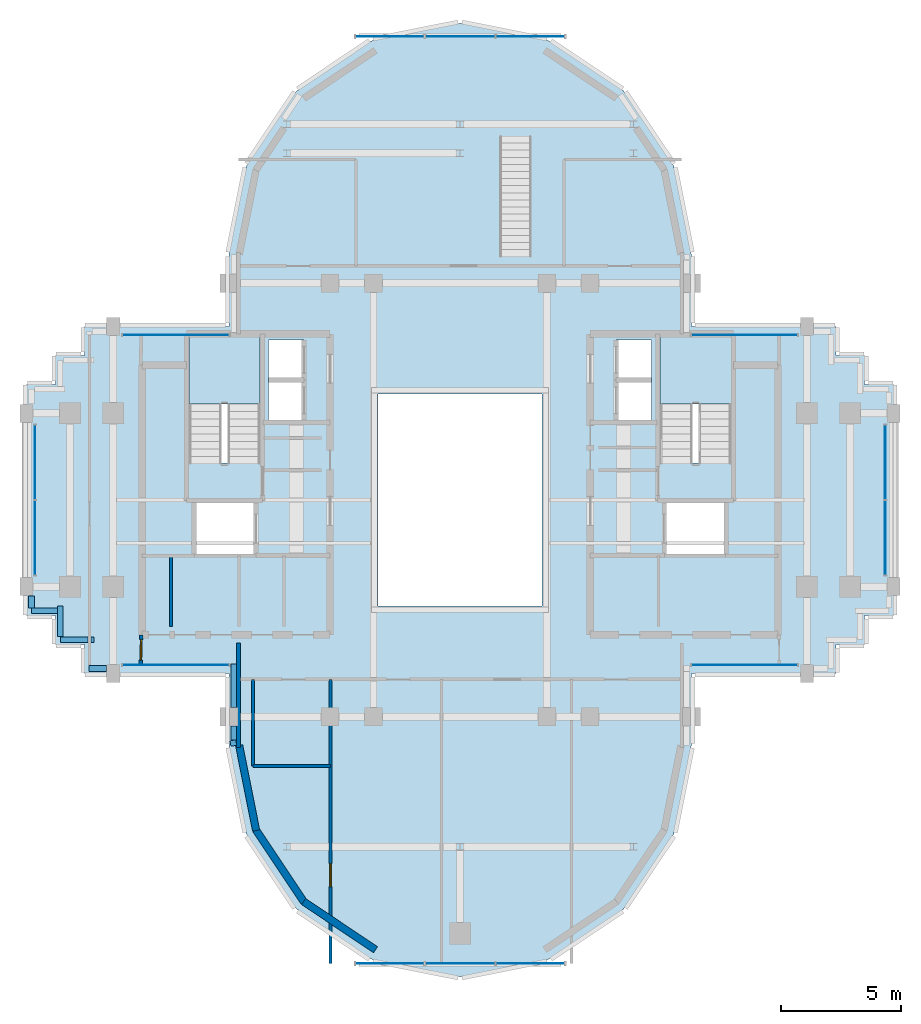
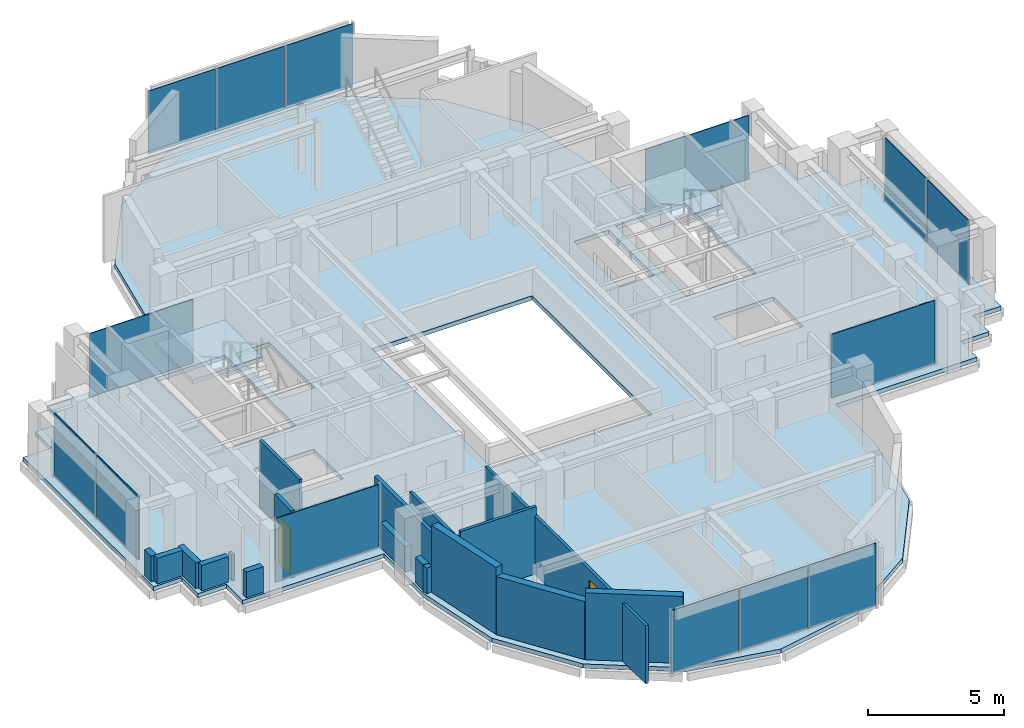
# One storey, part 7 of 13: 18 walls, 14 plates, 3 slabs, 2 doors, 2 openings, 10 elements without a shape of their own.
"""IFC4 building model written with IfcOpenShell, lengths in metres."""

from ifc_helpers import new_model, si_unit, direction, frame, frame_2d, origin, origin_2d, place, context, subcontext, project, spatial, polyline, rectangle, outline, extrude, source, transform, mapped, material, layer, layer_set, type_object, element, fill, aggregate, save


model = new_model("IFC4")

# Units and contexts
model_context = context("Model", 3, precision=1e-05, world=origin(), true_north=direction((0.0, 1.0)))
body_context = subcontext(model_context, "Body", "Model", "MODEL_VIEW")
ifc_project = project(units=[si_unit("LENGTHUNIT", "METRE"), si_unit("AREAUNIT", "SQUARE_METRE"), si_unit("VOLUMEUNIT", "CUBIC_METRE"), si_unit("PLANEANGLEUNIT", "RADIAN"), si_unit("MASSUNIT", "GRAM", prefix="KILO")], contexts=[model_context])

# Site, building, storey
site_placement = place(None, origin())
site = spatial("IfcSite", under=ifc_project, at=site_placement, CompositionType="ELEMENT")
building_placement = place(site_placement, origin())
building = spatial("IfcBuilding", under=site, at=building_placement, Name="Keilestroom Media Tower", CompositionType="ELEMENT")
storey_placement = place(building_placement, frame((0.0, 0.0, 230.0)))
storey = spatial("IfcBuildingStorey", under=building, at=storey_placement, Name="L63", CompositionType="ELEMENT", Elevation=230.0)

# Slab
ifc_material_1 = material(Name="Concrete C50/60", Category="concrete")
ifc_layer_1 = layer(ifc_material_1, 0.18994140625)
ifc_layer_set_1 = layer_set([ifc_layer_1], Name="Concrete C50/60")
slab_type_1 = type_object("IfcSlabType", Name="Composite-Floor-Slab-190", PredefinedType="FLOOR", material=ifc_layer_set_1)
slab_1_placement = place(storey_placement, frame((0.0, 0.0, -0.18994140625)))
element("IfcSlab", 1, at=slab_1_placement, inside=storey, type_object=slab_type_1, Name="L63 Structural Composite Floor Slab", PredefinedType="FLOOR", context=body_context, shape_type="SweptSolid", body=[
    extrude(outline(polyline([(18.0, -4.800048828125), (18.0, 4.800048828125), (16.800048828125, 4.800048828125), (16.800048828125, 6.0), (15.60009765625, 6.0), (15.60009765625, 7.199951171875), (9.60009765625, 7.199951171875), (9.60009765625, 9.60009765625), (9.60009765625, 10.199951171875), (8.869140625, 13.873779296875), (6.7880859375, 16.98828125), (3.673828125, 19.069091796875), (0.0, 19.800048828125), (-3.673828125, 19.069091796875), (-6.7880859375, 16.98828125), (-8.869140625, 13.873779296875), (-9.60009765625, 10.199951171875), (-9.60009765625, 9.60009765625), (-9.60009765625, 7.199951171875), (-15.60009765625, 7.199951171875), (-15.60009765625, 6.0), (-16.800048828125, 6.0), (-16.800048828125, 4.800048828125), (-18.0, 4.800048828125), (-18.0, -4.800048828125), (-16.800048828125, -4.800048828125), (-16.800048828125, -6.0), (-15.60009765625, -6.0), (-15.60009765625, -7.199951171875), (-9.60009765625, -7.199951171875), (-9.60009765625, -9.60009765625), (-9.60009765625, -10.199951171875), (-8.869140625, -13.873779296875), (-6.7880859375, -16.98828125), (-3.673828125, -19.069091796875), (0.0, -19.800048828125), (3.673828125, -19.069091796875), (6.7880859375, -16.98828125), (8.869140625, -13.873779296875), (9.60009765625, -10.199951171875), (9.60009765625, -9.60009765625), (9.60009765625, -7.199951171875), (15.60009765625, -7.199951171875), (15.60009765625, -6.0), (16.800048828125, -6.0), (16.800048828125, -4.800048828125), (18.0, -4.800048828125)]), holes=[polyline([(-8.300048828125, 1.544921875), (-11.260009765625, 1.544921875), (-11.260009765625, 6.760009765625), (-8.300048828125, 6.760009765625), (-8.300048828125, 1.544921875)]), polyline([(-8.47998046875, -2.280029296875), (-11.050048828125, -2.280029296875), (-11.050048828125, -0.10009765625), (-8.47998046875, -0.10009765625), (-8.47998046875, -2.280029296875)]), polyline([(-6.47998046875, 3.300048828125), (-7.949951171875, 3.300048828125), (-7.949951171875, 6.64990234375), (-6.47998046875, 6.64990234375), (-6.47998046875, 3.300048828125)]), polyline([(3.39990234375, -4.39990234375), (-3.39990234375, -4.39990234375), (-3.39990234375, 4.39990234375), (3.39990234375, 4.39990234375), (3.39990234375, -4.39990234375)]), polyline([(7.949951171875, 3.300048828125), (6.47998046875, 3.300048828125), (6.47998046875, 6.64990234375), (7.949951171875, 6.64990234375), (7.949951171875, 3.300048828125)]), polyline([(11.260009765625, 1.544921875), (8.300048828125, 1.544921875), (8.300048828125, 6.760009765625), (11.260009765625, 6.760009765625), (11.260009765625, 1.544921875)]), polyline([(11.050048828125, -2.280029296875), (8.47998046875, -2.280029296875), (8.47998046875, -0.10009765625), (11.050048828125, -0.10009765625), (11.050048828125, -2.280029296875)])]), origin(), (0.0, 0.0, 1.0), 0.18994140625),
])

# Stair, slab
ifc_material_2 = material(Name="Concrete C45/55", Category="concrete")
stair_type = type_object("IfcStairType", Name="Enclosed-Dog-Leg-Stair-ST-CORE", PredefinedType="HALF_TURN_STAIR", material=ifc_material_2)
stair_1_placement = place(storey_placement, origin())
stair_1 = element("IfcStair", 2, at=stair_1_placement, inside=storey, type_object=stair_type, Name="L63 West Core Escape Stair ST-1", PredefinedType="HALF_TURN_STAIR")
ifc_layer_2 = layer(ifc_material_2, 0.199951171875)
ifc_layer_set_2 = layer_set([ifc_layer_2], Name="Concrete C45/55")
slab_type_2 = type_object("IfcSlabType", Name="Stair-Intermediate-And-Top-Landing-Slab-200", PredefinedType="LANDING", material=ifc_layer_set_2)
slab_2_placement = place(storey_placement, frame((0.0, 0.0, 1.39990234375)))
slab_2 = element("IfcSlab", 3, at=slab_2_placement, type_object=slab_type_2, Name="ST-1 landing 1", PredefinedType="LANDING", context=body_context, shape_type="SweptSolid", body=[
    extrude(outline(polyline([(-8.300048828125, 3.99609375), (-8.300048828125, 6.760009765625), (-11.260009765625, 6.760009765625), (-11.260009765625, 3.99609375), (-8.300048828125, 3.99609375)])), origin(), (0.0, 0.0, 1.0), 0.2001953125),
])
aggregate(stair_1, [slab_2])

stair_2_placement = place(storey_placement, origin())
stair_2 = element("IfcStair", 4, at=stair_2_placement, inside=storey, type_object=stair_type, Name="L63 East Core Escape Stair ST-2", PredefinedType="HALF_TURN_STAIR")
slab_3_placement = place(storey_placement, frame((0.0, 0.0, 1.39990234375)))
slab_3 = element("IfcSlab", 5, at=slab_3_placement, type_object=slab_type_2, Name="ST-2 landing 1", PredefinedType="LANDING", context=body_context, shape_type="SweptSolid", body=[
    extrude(outline(polyline([(11.260009765625, 3.99609375), (11.260009765625, 6.760009765625), (8.300048828125, 6.760009765625), (8.300048828125, 3.99609375), (11.260009765625, 3.99609375)])), origin(), (0.0, 0.0, 1.0), 0.2001953125),
])
aggregate(stair_2, [slab_3])

# Curtain wall, plates
ifc_material_3 = material(Name="Anodised Aluminium Alloy", Category="aluminium")
curtain_wall_type_1 = type_object("IfcCurtainWallType", Name="Unitised-Curtain-Wall-CW-6", PredefinedType="NOTDEFINED", material=ifc_material_3)
curtain_wall_1_placement = place(storey_placement, origin())
curtain_wall_1 = element("IfcCurtainWall", 6, at=curtain_wall_1_placement, inside=storey, type_object=curtain_wall_type_1, Name="L63 Curtain Wall CW-6 CW-L63-LN-1", PredefinedType="NOTDEFINED")
ifc_material_4 = material(Name="Curved-Facet Triple Glazed Unit", Category="glass")
ifc_layer_3 = layer(ifc_material_4, 0.033935546875)
ifc_layer_set_3 = layer_set([ifc_layer_3], Name="Curved-Facet Triple Glazed Unit")
plate_type_1 = type_object("IfcPlateType", Name="Insulated-Curtain-Wall-Glazing-Panel-CW-6", PredefinedType="CURTAIN_PANEL", material=ifc_layer_set_3)
shared_shape_1 = source(origin(), body_context, "Body", "SweptSolid", [
    extrude(rectangle(XDim=2.84375, YDim=0.033935546875, at=origin_2d()), origin(), (0.0, 0.0, 1.0), 2.833984375),
])
plate_1_placement = place(storey_placement, frame((-2.9169921875, 19.25, 0.072998046875), z_axis=(0.0, 0.0, 1.0), x_axis=(1.0, 0.0, 0.0)))
plate_1 = element("IfcPlate", 7, at=plate_1_placement, type_object=plate_type_1, Name="CW-6 Unitised Glazing 00", PredefinedType="CURTAIN_PANEL", context=body_context, shape_type="MappedRepresentation", body=[
    mapped(shared_shape_1, transform((0.0, 0.0, 0.0), x_axis=(1.0, 0.0, 0.0), y_axis=(0.0, 1.0, 0.0), z_axis=(0.0, 0.0, 1.0), scale=1.0)),
])
plate_2_placement = place(storey_placement, frame((2.9169921875, 19.25, 0.072998046875), z_axis=(0.0, 0.0, 1.0), x_axis=(1.0, 0.0, 0.0)))
plate_2 = element("IfcPlate", 8, at=plate_2_placement, type_object=plate_type_1, Name="CW-6 Unitised Glazing 02", PredefinedType="CURTAIN_PANEL", context=body_context, shape_type="MappedRepresentation", body=[
    mapped(shared_shape_1, transform((0.0, 0.0, 0.0), x_axis=(1.0, 0.0, 0.0), y_axis=(0.0, 1.0, 0.0), z_axis=(0.0, 0.0, 1.0), scale=1.0)),
])

curtain_wall_2_placement = place(storey_placement, origin())
curtain_wall_2 = element("IfcCurtainWall", 9, at=curtain_wall_2_placement, inside=storey, type_object=curtain_wall_type_1, Name="L63 Curtain Wall CW-6 CW-L63-LS-1", PredefinedType="NOTDEFINED")
plate_3_placement = place(storey_placement, frame((-2.9169921875, -19.25, 0.072998046875), z_axis=(0.0, 0.0, 1.0), x_axis=(1.0, 0.0, 0.0)))
plate_3 = element("IfcPlate", 10, at=plate_3_placement, type_object=plate_type_1, Name="CW-6 Unitised Glazing 00", PredefinedType="CURTAIN_PANEL", context=body_context, shape_type="MappedRepresentation", body=[
    mapped(shared_shape_1, transform((0.0, 0.0, 0.0), x_axis=(1.0, 0.0, 0.0), y_axis=(0.0, 1.0, 0.0), z_axis=(0.0, 0.0, 1.0), scale=1.0)),
])
plate_4_placement = place(storey_placement, frame((2.9169921875, -19.25, 0.072998046875), z_axis=(0.0, 0.0, 1.0), x_axis=(1.0, 0.0, 0.0)))
plate_4 = element("IfcPlate", 11, at=plate_4_placement, type_object=plate_type_1, Name="CW-6 Unitised Glazing 02", PredefinedType="CURTAIN_PANEL", context=body_context, shape_type="MappedRepresentation", body=[
    mapped(shared_shape_1, transform((0.0, 0.0, 0.0), x_axis=(1.0, 0.0, 0.0), y_axis=(0.0, 1.0, 0.0), z_axis=(0.0, 0.0, 1.0), scale=1.0)),
])

# Plate
shared_shape_2 = source(origin(), body_context, "Body", "SweptSolid", [
    extrude(rectangle(XDim=2.876220703125, YDim=0.033935546875, at=origin_2d()), origin(), (0.0, 0.0, 1.0), 2.833984375),
])
plate_5_placement = place(storey_placement, frame((0.0, 19.25, 0.072998046875), z_axis=(0.0, 0.0, 1.0), x_axis=(1.0, 0.0, 0.0)))
plate_5 = element("IfcPlate", 12, at=plate_5_placement, type_object=plate_type_1, Name="CW-6 Unitised Glazing 01", PredefinedType="CURTAIN_PANEL", context=body_context, shape_type="MappedRepresentation", body=[
    mapped(shared_shape_2, transform((0.0, 0.0, 0.0), x_axis=(1.0, 0.0, 0.0), y_axis=(0.0, 1.0, 0.0), z_axis=(0.0, 0.0, 1.0), scale=1.0)),
])

aggregate(curtain_wall_1, [plate_1, plate_5, plate_2])

plate_6_placement = place(storey_placement, frame((0.0, -19.25, 0.072998046875), z_axis=(0.0, 0.0, 1.0), x_axis=(1.0, 0.0, 0.0)))
plate_6 = element("IfcPlate", 13, at=plate_6_placement, type_object=plate_type_1, Name="CW-6 Unitised Glazing 01", PredefinedType="CURTAIN_PANEL", context=body_context, shape_type="MappedRepresentation", body=[
    mapped(shared_shape_2, transform((0.0, 0.0, 0.0), x_axis=(1.0, 0.0, 0.0), y_axis=(0.0, 1.0, 0.0), z_axis=(0.0, 0.0, 1.0), scale=1.0)),
])

aggregate(curtain_wall_2, [plate_3, plate_6, plate_4])

# Curtain wall, plates
curtain_wall_type_2 = type_object("IfcCurtainWallType", Name="Unitised-Curtain-Wall-CW-4", PredefinedType="NOTDEFINED", material=ifc_material_3)
curtain_wall_3_placement = place(storey_placement, origin())
curtain_wall_3 = element("IfcCurtainWall", 14, at=curtain_wall_3_placement, inside=storey, type_object=curtain_wall_type_2, Name="L63 Curtain Wall CW-4 CW-L63-W-1", PredefinedType="NOTDEFINED")
ifc_material_5 = material(Name="Triple Glazed Solar-Control Unit", Category="glass")
ifc_layer_4 = layer(ifc_material_5, 0.035888671875)
ifc_layer_set_4 = layer_set([ifc_layer_4], Name="Triple Glazed Solar-Control Unit")
plate_type_2 = type_object("IfcPlateType", Name="Insulated-Curtain-Wall-Glazing-Panel-CW-4", PredefinedType="CURTAIN_PANEL", material=ifc_layer_set_4)
shared_shape_3 = source(origin(), body_context, "Body", "SweptSolid", [
    extrude(rectangle(XDim=3.0830078125, YDim=0.035888671875, at=origin_2d()), origin(), (0.0, 0.0, 1.0), 2.85400390625),
])
plate_7_placement = place(storey_placement, frame((-17.64990234375, -1.5673828125, 0.06298828125), z_axis=(0.0, 0.0, 1.0), x_axis=(0.0, 1.0, 0.0)))
plate_7 = element("IfcPlate", 15, at=plate_7_placement, type_object=plate_type_2, Name="CW-4 Unitised Glazing 00", PredefinedType="CURTAIN_PANEL", context=body_context, shape_type="MappedRepresentation", body=[
    mapped(shared_shape_3, transform((0.0, 0.0, 0.0), x_axis=(1.0, 0.0, 0.0), y_axis=(0.0, 1.0, 0.0), z_axis=(0.0, 0.0, 1.0), scale=1.0)),
])
plate_8_placement = place(storey_placement, frame((-17.64990234375, 1.5673828125, 0.06298828125), z_axis=(0.0, 0.0, 1.0), x_axis=(0.0, 1.0, 0.0)))
plate_8 = element("IfcPlate", 16, at=plate_8_placement, type_object=plate_type_2, Name="CW-4 Unitised Glazing 01", PredefinedType="CURTAIN_PANEL", context=body_context, shape_type="MappedRepresentation", body=[
    mapped(shared_shape_3, transform((0.0, 0.0, 0.0), x_axis=(1.0, 0.0, 0.0), y_axis=(0.0, 1.0, 0.0), z_axis=(0.0, 0.0, 1.0), scale=1.0)),
])
aggregate(curtain_wall_3, [plate_7, plate_8])

curtain_wall_4_placement = place(storey_placement, origin())
curtain_wall_4 = element("IfcCurtainWall", 17, at=curtain_wall_4_placement, inside=storey, type_object=curtain_wall_type_2, Name="L63 Curtain Wall CW-4 CW-L63-E-1", PredefinedType="NOTDEFINED")
plate_9_placement = place(storey_placement, frame((17.64990234375, -1.5673828125, 0.06298828125), z_axis=(0.0, 0.0, 1.0), x_axis=(0.0, 1.0, 0.0)))
plate_9 = element("IfcPlate", 18, at=plate_9_placement, type_object=plate_type_2, Name="CW-4 Unitised Glazing 00", PredefinedType="CURTAIN_PANEL", context=body_context, shape_type="MappedRepresentation", body=[
    mapped(shared_shape_3, transform((0.0, 0.0, 0.0), x_axis=(1.0, 0.0, 0.0), y_axis=(0.0, 1.0, 0.0), z_axis=(0.0, 0.0, 1.0), scale=1.0)),
])
plate_10_placement = place(storey_placement, frame((17.64990234375, 1.5673828125, 0.06298828125), z_axis=(0.0, 0.0, 1.0), x_axis=(0.0, 1.0, 0.0)))
plate_10 = element("IfcPlate", 19, at=plate_10_placement, type_object=plate_type_2, Name="CW-4 Unitised Glazing 01", PredefinedType="CURTAIN_PANEL", context=body_context, shape_type="MappedRepresentation", body=[
    mapped(shared_shape_3, transform((0.0, 0.0, 0.0), x_axis=(1.0, 0.0, 0.0), y_axis=(0.0, 1.0, 0.0), z_axis=(0.0, 0.0, 1.0), scale=1.0)),
])
aggregate(curtain_wall_4, [plate_9, plate_10])

# Curtain wall, plate
curtain_wall_5_placement = place(storey_placement, origin())
curtain_wall_5 = element("IfcCurtainWall", 20, at=curtain_wall_5_placement, inside=storey, type_object=curtain_wall_type_2, Name="L63 Curtain Wall CW-4 CW-L63-NW-1", PredefinedType="NOTDEFINED")
shared_shape_4 = source(origin(), body_context, "Body", "SweptSolid", [
    extrude(rectangle(XDim=4.403076171875, YDim=0.035888671875, at=origin_2d()), origin(), (0.0, 0.0, 1.0), 2.85400390625),
])
plate_11_placement = place(storey_placement, frame((-11.8076171875, 6.85009765625, 0.06298828125), z_axis=(0.0, 0.0, 1.0), x_axis=(1.0, 0.0, 0.0)))
plate_11 = element("IfcPlate", 21, at=plate_11_placement, type_object=plate_type_2, Name="CW-4 Unitised Glazing 00", PredefinedType="CURTAIN_PANEL", context=body_context, shape_type="MappedRepresentation", body=[
    mapped(shared_shape_4, transform((0.0, 0.0, 0.0), x_axis=(1.0, 0.0, 0.0), y_axis=(0.0, 1.0, 0.0), z_axis=(0.0, 0.0, 1.0), scale=1.0)),
])
aggregate(curtain_wall_5, [plate_11])

curtain_wall_6_placement = place(storey_placement, origin())
curtain_wall_6 = element("IfcCurtainWall", 22, at=curtain_wall_6_placement, inside=storey, type_object=curtain_wall_type_2, Name="L63 Curtain Wall CW-4 CW-L63-NE-1", PredefinedType="NOTDEFINED")
plate_12_placement = place(storey_placement, frame((11.8076171875, 6.85009765625, 0.06298828125), z_axis=(0.0, 0.0, 1.0), x_axis=(1.0, 0.0, 0.0)))
plate_12 = element("IfcPlate", 23, at=plate_12_placement, type_object=plate_type_2, Name="CW-4 Unitised Glazing 00", PredefinedType="CURTAIN_PANEL", context=body_context, shape_type="MappedRepresentation", body=[
    mapped(shared_shape_4, transform((0.0, 0.0, 0.0), x_axis=(1.0, 0.0, 0.0), y_axis=(0.0, 1.0, 0.0), z_axis=(0.0, 0.0, 1.0), scale=1.0)),
])
aggregate(curtain_wall_6, [plate_12])

curtain_wall_7_placement = place(storey_placement, origin())
curtain_wall_7 = element("IfcCurtainWall", 24, at=curtain_wall_7_placement, inside=storey, type_object=curtain_wall_type_2, Name="L63 Curtain Wall CW-4 CW-L63-SW-1", PredefinedType="NOTDEFINED")
plate_13_placement = place(storey_placement, frame((-11.8076171875, -6.85009765625, 0.06298828125), z_axis=(0.0, 0.0, 1.0), x_axis=(1.0, 0.0, 0.0)))
plate_13 = element("IfcPlate", 25, at=plate_13_placement, type_object=plate_type_2, Name="CW-4 Unitised Glazing 00", PredefinedType="CURTAIN_PANEL", context=body_context, shape_type="MappedRepresentation", body=[
    mapped(shared_shape_4, transform((0.0, 0.0, 0.0), x_axis=(1.0, 0.0, 0.0), y_axis=(0.0, 1.0, 0.0), z_axis=(0.0, 0.0, 1.0), scale=1.0)),
])
aggregate(curtain_wall_7, [plate_13])

curtain_wall_8_placement = place(storey_placement, origin())
curtain_wall_8 = element("IfcCurtainWall", 26, at=curtain_wall_8_placement, inside=storey, type_object=curtain_wall_type_2, Name="L63 Curtain Wall CW-4 CW-L63-SE-1", PredefinedType="NOTDEFINED")
plate_14_placement = place(storey_placement, frame((11.8076171875, -6.85009765625, 0.06298828125), z_axis=(0.0, 0.0, 1.0), x_axis=(1.0, 0.0, 0.0)))
plate_14 = element("IfcPlate", 27, at=plate_14_placement, type_object=plate_type_2, Name="CW-4 Unitised Glazing 00", PredefinedType="CURTAIN_PANEL", context=body_context, shape_type="MappedRepresentation", body=[
    mapped(shared_shape_4, transform((0.0, 0.0, 0.0), x_axis=(1.0, 0.0, 0.0), y_axis=(0.0, 1.0, 0.0), z_axis=(0.0, 0.0, 1.0), scale=1.0)),
])
aggregate(curtain_wall_8, [plate_14])

# Walls
ifc_material_6 = material(Name="Precast concrete C40/50", Category="concrete")
ifc_layer_5 = layer(ifc_material_6, 0.300048828125)
ifc_layer_set_5 = layer_set([ifc_layer_5], Name="Precast concrete C40/50")
wall_type_1 = type_object("IfcWallType", Name="Exterior-Masonry-Spandrel-Wall-300", PredefinedType="SOLIDWALL", material=ifc_layer_set_5)
wall_1_placement = place(storey_placement, frame((-9.1748046875, -10.185302734375, 0.0), z_axis=(0.0, 0.0, 1.0), x_axis=(0.195114232679, -0.980780523974, 0.0)))
element("IfcWall", 28, at=wall_1_placement, inside=storey, type_object=wall_type_1, Name="L63 Lobe Facet Precast Frame Wall 07", PredefinedType="SOLIDWALL", context=body_context, shape_type="SweptSolid", body=[
    extrude(rectangle(XDim=3.608642578125, YDim=0.300048828125, at=frame_2d((1.80419921875, 0.0))), origin(), (0.0, 0.0, 1.0), 3.010009765625),
])
wall_2_placement = place(storey_placement, frame((-8.48193359375, -13.697509765625, 0.0), z_axis=(0.0, 0.0, 1.0), x_axis=(0.555574187116, -0.831466970246, 0.0)))
element("IfcWall", 29, at=wall_2_placement, inside=storey, type_object=wall_type_1, Name="L63 Lobe Facet Precast Frame Wall 08", PredefinedType="SOLIDWALL", context=body_context, shape_type="SweptSolid", body=[
    extrude(rectangle(XDim=3.608642578125, YDim=0.300048828125, at=frame_2d((1.80419921875, 0.0))), origin(), (0.0, 0.0, 1.0), 2.610107421875),
])
wall_3_placement = place(storey_placement, frame((-6.497802734375, -16.677001953125, 0.0), z_axis=(0.0, 0.0, 1.0), x_axis=(0.831443568068, -0.555609208993, 0.0)))
element("IfcWall", 30, at=wall_3_placement, inside=storey, type_object=wall_type_1, Name="L63 Lobe Facet Precast Frame Wall 09", PredefinedType="SOLIDWALL", context=body_context, shape_type="SweptSolid", body=[
    extrude(rectangle(XDim=3.593505859375, YDim=0.300048828125, at=frame_2d((1.796875, 0.0))), origin(), (0.0, 0.0, 1.0), 3.010009765625),
])
ifc_material_7 = material(Name="Gypsum Plasterboard & Steel Stud", Category="steel")
ifc_layer_6 = layer(ifc_material_7, 0.1201171875)
ifc_layer_set_6 = layer_set([ifc_layer_6], Name="Gypsum Plasterboard & Steel Stud")
wall_type_2 = type_object("IfcWallType", Name="Interior-Partition-Wall-120", PredefinedType="PARTITIONING", material=ifc_layer_set_6)
wall_4_placement = place(storey_placement, frame((-12.010009765625, -5.260009765625, 0.0), z_axis=(0.0, 0.0, 1.0), x_axis=(0.0, 1.0, 0.0)))
element("IfcWall", 31, at=wall_4_placement, inside=storey, type_object=wall_type_2, Name="L63 Interior Wall WP-L63-RECLW-M", PredefinedType="PARTITIONING", context=body_context, shape_type="SweptSolid", body=[
    extrude(rectangle(XDim=2.93994140625, YDim=0.1201171875, at=frame_2d((1.469970703125, 0.0))), origin(), (0.0, 0.0, 1.0), 3.010009765625),
])

# Wall, opening, door
wall_5_placement = place(storey_placement, frame((-5.3798828125, -19.25, 0.0), z_axis=(0.0, 0.0, 1.0), x_axis=(0.0, 1.0, 0.0)))
wall_5 = element("IfcWall", 32, at=wall_5_placement, inside=storey, type_object=wall_type_2, Name="L63 Interior Wall WP-L63-SL-QV1", PredefinedType="PARTITIONING", context=body_context, shape_type="SweptSolid", body=[
    extrude(rectangle(XDim=11.800048828125, YDim=0.1201171875, at=frame_2d((5.89990234375, 0.0))), origin(), (0.0, 0.0, 1.0), 2.610107421875),
])
opening_1_placement = place(wall_5_placement, frame((3.199951171875, 0.0, 0.0)))
opening_1 = element("IfcOpeningElement", 33, at=opening_1_placement, cuts=wall_5, Name="Opening DI-03", PredefinedType="OPENING", context=body_context, shape_type="SweptSolid", body=[
    extrude(rectangle(XDim=0.949951171875, YDim=2.14990234375, at=frame_2d((0.47509765625, 1.074951171875))), frame((0.0, 0.070068359375, 0.0), z_axis=(0.0, -1.0, 0.0), x_axis=(1.0, 0.0, 0.0)), (0.0, 0.0, 1.0), 0.14013671875),
])
ifc_material_8 = material(Name="Lacquered European Oak Leaf", Category="wood")
door_type_1 = type_object("IfcDoorType", Name="Interior-Room-And-Suite-Door-DI-03", OperationType="NOTDEFINED", PredefinedType="DOOR", material=ifc_material_8)
shared_shape_5 = source(origin(), body_context, "Body", "SweptSolid", [
    extrude(rectangle(XDim=0.949951171875, YDim=2.14990234375, at=frame_2d((0.47509765625, 1.074951171875))), frame((0.0, 0.02490234375, 0.0), z_axis=(0.0, -1.0, 0.0), x_axis=(1.0, 0.0, 0.0)), (0.0, 0.0, 1.0), 0.050048828125),
])
door_1_placement = place(opening_1_placement, origin())
door_1 = element("IfcDoor", 34, at=door_1_placement, inside=storey, type_object=door_type_1, Name="L63 Interior Door DI-L63-DSL-Q1", OperationType="SINGLE_SWING_RIGHT", OverallHeight=2.14990234375, OverallWidth=0.949951171875, PredefinedType="DOOR", context=body_context, shape_type="MappedRepresentation", body=[
    mapped(shared_shape_5, transform((0.0, 0.0, 0.0), x_axis=(1.0, 0.0, 0.0), y_axis=(0.0, 1.0, 0.0), z_axis=(0.0, 0.0, 1.0), scale=1.0)),
])
fill(opening_1, door_1)

# Walls
wall_6_placement = place(storey_placement, frame((-8.60009765625, -11.050048828125, 0.0), z_axis=(0.0, 0.0, 1.0), x_axis=(1.0, 0.0, 0.0)))
element("IfcWall", 35, at=wall_6_placement, inside=storey, type_object=wall_type_2, Name="L63 Interior Wall WP-L63-SL-WC3-S", PredefinedType="PARTITIONING", context=body_context, shape_type="SweptSolid", body=[
    extrude(rectangle(XDim=3.22021484375, YDim=0.1201171875, at=frame_2d((1.610107421875, 0.0))), origin(), (0.0, 0.0, 1.0), 3.010009765625),
])
wall_7_placement = place(storey_placement, frame((-8.60009765625, -11.050048828125, 0.0), z_axis=(0.0, 0.0, 1.0), x_axis=(0.0, 1.0, 0.0)))
element("IfcWall", 36, at=wall_7_placement, inside=storey, type_object=wall_type_2, Name="L63 Interior Wall WP-L63-SL-WC3-W", PredefinedType="PARTITIONING", context=body_context, shape_type="SweptSolid", body=[
    extrude(rectangle(XDim=3.60009765625, YDim=0.1201171875, at=frame_2d((1.800048828125, 0.0))), origin(), (0.0, 0.0, 1.0), 2.610107421875),
])
ifc_layer_7 = layer(ifc_material_7, 0.14990234375)
ifc_layer_set_7 = layer_set([ifc_layer_7], Name="Gypsum Plasterboard & Steel Stud")
wall_type_3 = type_object("IfcWallType", Name="Interior-Partition-Wall-150", PredefinedType="PARTITIONING", material=ifc_layer_set_7)
wall_8_placement = place(storey_placement, frame((-9.199951171875, -10.280029296875, 0.0), z_axis=(0.0, 0.0, 1.0), x_axis=(0.0, 1.0, 0.0)))
element("IfcWall", 37, at=wall_8_placement, inside=storey, type_object=wall_type_3, Name="L63 Interior Wall WP-L63-SL-CHKW", PredefinedType="PARTITIONING", context=body_context, shape_type="SweptSolid", body=[
    extrude(rectangle(XDim=4.340087890625, YDim=0.14990234375, at=frame_2d((2.169921875, 0.0))), origin(), (0.0, 0.0, 1.0), 2.610107421875),
])

# Wall, opening, door
wall_9_placement = place(storey_placement, frame((-13.260009765625, -6.85009765625, 0.0), z_axis=(0.0, 0.0, 1.0), x_axis=(0.016013571389, 0.999871774545, 0.0)))
wall_9 = element("IfcWall", 38, at=wall_9_placement, inside=storey, type_object=wall_type_3, Name="L63 Interior Wall WP-L63-WA-ENTS", PredefinedType="PARTITIONING", context=body_context, shape_type="SweptSolid", body=[
    extrude(rectangle(XDim=1.250244140625, YDim=0.14990234375, at=frame_2d((0.625, 0.0))), origin(), (0.0, 0.0, 1.0), 3.010009765625),
])
opening_2_placement = place(wall_9_placement, frame((0.199951171875, 0.0, 0.0)))
opening_2 = element("IfcOpeningElement", 39, at=opening_2_placement, cuts=wall_9, Name="Opening DI-05", PredefinedType="OPENING", context=body_context, shape_type="SweptSolid", body=[
    extrude(rectangle(XDim=0.85009765625, YDim=2.10009765625, at=frame_2d((0.425048828125, 1.050048828125))), frame((0.0, 0.0849609375, 0.0), z_axis=(0.0, -1.0, 0.0), x_axis=(1.0, 0.0, 0.0)), (0.0, 0.0, 1.0), 0.169921875),
])
ifc_material_9 = material(Name="Moisture-Resistant Oak Leaf", Category="wood")
door_type_2 = type_object("IfcDoorType", Name="Interior-En-Suite-And-Cupboard-Door-DI-05", OperationType="NOTDEFINED", PredefinedType="DOOR", material=ifc_material_9)
shared_shape_6 = source(origin(), body_context, "Body", "SweptSolid", [
    extrude(rectangle(XDim=0.85009765625, YDim=2.10009765625, at=frame_2d((0.425048828125, 1.050048828125))), frame((0.0, 0.02490234375, 0.0), z_axis=(0.0, -1.0, 0.0), x_axis=(1.0, 0.0, 0.0)), (0.0, 0.0, 1.0), 0.050048828125),
])
door_2_placement = place(opening_2_placement, origin())
door_2 = element("IfcDoor", 40, at=door_2_placement, inside=storey, type_object=door_type_2, Name="L63 Interior Door DI-L63-DWA-E", OperationType="SINGLE_SWING_RIGHT", OverallHeight=2.10009765625, OverallWidth=0.85009765625, PredefinedType="DOOR", context=body_context, shape_type="MappedRepresentation", body=[
    mapped(shared_shape_6, transform((0.0, 0.0, 0.0), x_axis=(1.0, 0.0, 0.0), y_axis=(0.0, 1.0, 0.0), z_axis=(0.0, 0.0, 1.0), scale=1.0)),
])
fill(opening_2, door_2)

# Walls
ifc_layer_8 = layer(ifc_material_6, 0.239990234375)
ifc_layer_set_8 = layer_set([ifc_layer_8], Name="Precast concrete C40/50")
wall_type_4 = type_object("IfcWallType", Name="Roof-And-Terrace-Parapet-Wall-240", PredefinedType="PARAPET", material=ifc_layer_set_8)
wall_10_placement = place(storey_placement, frame((-9.395263671875, -10.2041015625, 0.0), z_axis=(0.0, 0.0, 1.0), x_axis=(-0.194859894132, 0.980831087221, 0.0)))
element("IfcWall", 41, at=wall_10_placement, inside=storey, type_object=wall_type_4, Name="L63 Perimeter Edge Parapet Wall 09", PredefinedType="PARAPET", context=body_context, shape_type="SweptSolid", body=[
    extrude(rectangle(XDim=0.224365234375, YDim=0.239990234375, at=frame_2d((0.1123046875, 0.0))), origin(), (0.0, 0.0, 1.0), 1.14990234375),
])
wall_11_placement = place(storey_placement, frame((-9.39990234375, -9.957763671875, 0.0), z_axis=(0.0, 0.0, 1.0), x_axis=(0.0, 1.0, 0.0)))
element("IfcWall", 42, at=wall_11_placement, inside=storey, type_object=wall_type_4, Name="L63 Perimeter Edge Parapet Wall 10", PredefinedType="PARAPET", context=body_context, shape_type="SweptSolid", body=[
    extrude(rectangle(XDim=0.579833984375, YDim=0.239990234375, at=frame_2d((0.2900390625, 0.0))), origin(), (0.0, 0.0, 1.0), 1.14990234375),
])
wall_12_placement = place(storey_placement, frame((-9.39990234375, -8.6220703125, 0.0), z_axis=(0.0, 0.0, 1.0), x_axis=(0.0, 1.0, 0.0)))
element("IfcWall", 43, at=wall_12_placement, inside=storey, type_object=wall_type_4, Name="L63 Perimeter Edge Parapet Wall 11", PredefinedType="PARAPET", context=body_context, shape_type="SweptSolid", body=[
    extrude(rectangle(XDim=1.802978515625, YDim=0.239990234375, at=frame_2d((0.9013671875, 0.0))), origin(), (0.0, 0.0, 1.0), 1.14990234375),
])
wall_13_placement = place(storey_placement, frame((-14.677978515625, -7.0, 0.0), z_axis=(0.0, 0.0, 1.0), x_axis=(-1.0, 0.0, 0.0)))
element("IfcWall", 44, at=wall_13_placement, inside=storey, type_object=wall_type_4, Name="L63 Perimeter Edge Parapet Wall 12", PredefinedType="PARAPET", context=body_context, shape_type="SweptSolid", body=[
    extrude(rectangle(XDim=0.721923828125, YDim=0.239990234375, at=frame_2d((0.36083984375, 0.0))), origin(), (0.0, 0.0, 1.0), 1.14990234375),
])
wall_14_placement = place(storey_placement, frame((-15.199951171875, -5.800048828125, 0.0), z_axis=(0.0, 0.0, 1.0), x_axis=(-1.0, 0.0, 0.0)))
element("IfcWall", 45, at=wall_14_placement, inside=storey, type_object=wall_type_4, Name="L63 Perimeter Edge Parapet Wall 13", PredefinedType="PARAPET", context=body_context, shape_type="SweptSolid", body=[
    extrude(rectangle(XDim=0.126953125, YDim=0.239990234375, at=frame_2d((0.0634765625, 0.0))), origin(), (0.0, 0.0, 1.0), 1.14990234375),
])
wall_15_placement = place(storey_placement, frame((-15.452880859375, -5.800048828125, 0.0), z_axis=(0.0, 0.0, 1.0), x_axis=(-1.0, 0.0, 0.0)))
element("IfcWall", 46, at=wall_15_placement, inside=storey, type_object=wall_type_4, Name="L63 Perimeter Edge Parapet Wall 14", PredefinedType="PARAPET", context=body_context, shape_type="SweptSolid", body=[
    extrude(rectangle(XDim=1.147216796875, YDim=0.239990234375, at=frame_2d((0.57373046875, 0.0))), origin(), (0.0, 0.0, 1.0), 1.14990234375),
])
wall_16_placement = place(storey_placement, frame((-16.60009765625, -5.677001953125, 0.0), z_axis=(0.0, 0.0, 1.0), x_axis=(0.0, 1.0, 0.0)))
element("IfcWall", 47, at=wall_16_placement, inside=storey, type_object=wall_type_4, Name="L63 Perimeter Edge Parapet Wall 15", PredefinedType="PARAPET", context=body_context, shape_type="SweptSolid", body=[
    extrude(rectangle(XDim=1.277099609375, YDim=0.239990234375, at=frame_2d((0.638671875, 0.0))), origin(), (0.0, 0.0, 1.0), 1.14990234375),
])
wall_17_placement = place(storey_placement, frame((-16.722900390625, -4.60009765625, 0.0), z_axis=(0.0, 0.0, 1.0), x_axis=(-1.0, 0.0, 0.0)))
element("IfcWall", 48, at=wall_17_placement, inside=storey, type_object=wall_type_4, Name="L63 Perimeter Edge Parapet Wall 16", PredefinedType="PARAPET", context=body_context, shape_type="SweptSolid", body=[
    extrude(rectangle(XDim=1.0771484375, YDim=0.239990234375, at=frame_2d((0.53857421875, 0.0))), origin(), (0.0, 0.0, 1.0), 1.14990234375),
])
wall_18_placement = place(storey_placement, frame((-17.800048828125, -4.47705078125, 0.0), z_axis=(0.0, 0.0, 1.0), x_axis=(0.0, 1.0, 0.0)))
element("IfcWall", 49, at=wall_18_placement, inside=storey, type_object=wall_type_4, Name="L63 Perimeter Edge Parapet Wall 17", PredefinedType="PARAPET", context=body_context, shape_type="SweptSolid", body=[
    extrude(rectangle(XDim=0.4990234375, YDim=0.239990234375, at=frame_2d((0.24951171875, 0.0))), origin(), (0.0, 0.0, 1.0), 1.14990234375),
])

save(model, "model.ifc")
